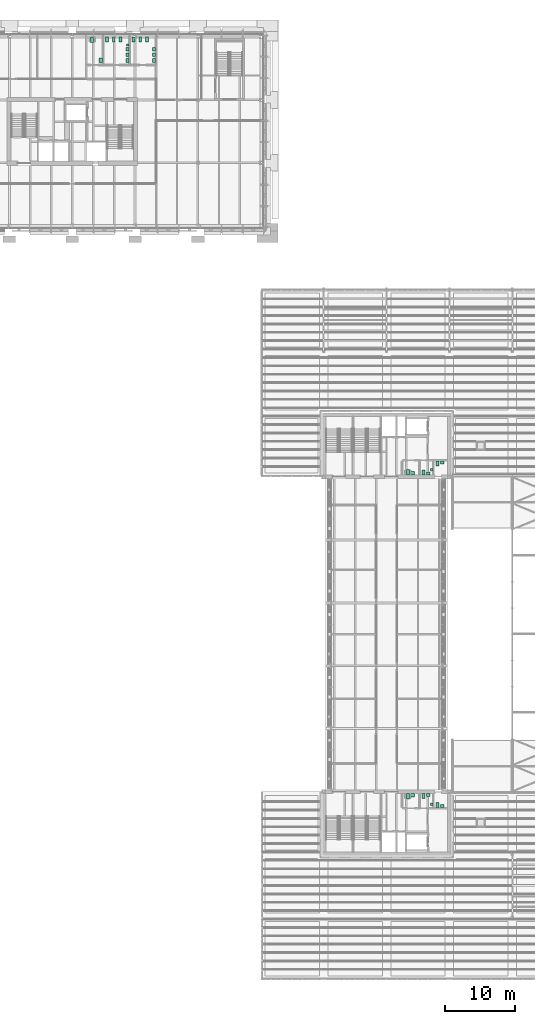
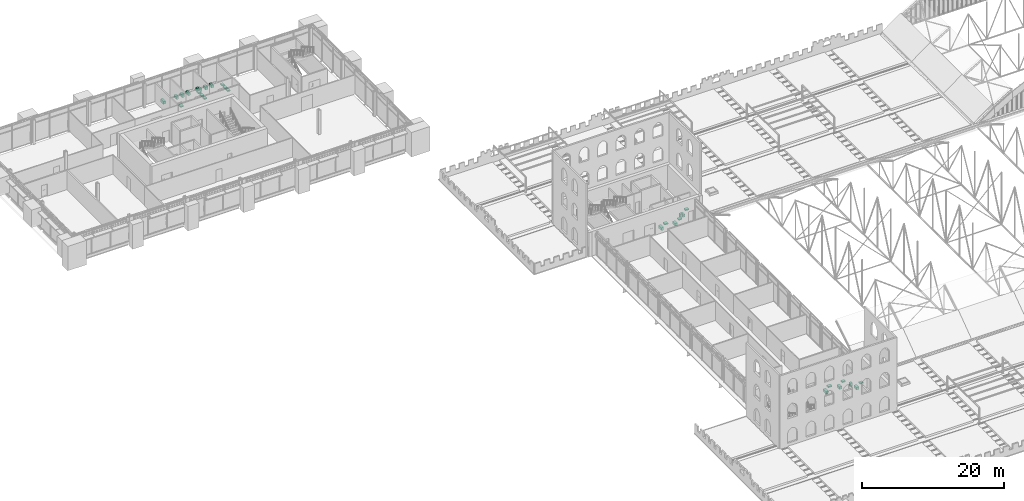
# One storey, part 153 of 153: 29 sanitary terminals.
"""IFC4 building model written with IfcOpenShell, lengths in metres."""

import ifcopenshell
import ifcopenshell.guid

model = None  # the IFC model being written
_history = None  # IfcOwnerHistory: only IFC2X3 demands one
_inside = {}  # id of a spatial element -> (the spatial element, [elements in it])
_under = {}  # id of a project, library or spatial element -> (it, [spatial elements below it])
_declared = {}  # id of a project -> (the project, [libraries it declares])
_typed = {}  # id of a type object -> (the type object, [elements of that type])
_made_of = {}  # id of a material, layer set ... -> (it, [elements and type objects made of it])


def new_model(schema):
    """Start an empty IFC model of exactly this schema.

    Asked for "IFC4X3", IfcOpenShell would pick the latest addendum, in which some entities
    have other attributes; the version numbers below select the first issue.
    IFC2X3 requires an IfcOwnerHistory on every rooted entity: one is made here for all.
    """
    global model, _history
    if schema == "IFC4X3":
        model = ifcopenshell.file(schema_version=(4, 3, 0, 0))
    else:
        model = ifcopenshell.file(schema=schema)
    _inside.clear()
    _under.clear()
    _declared.clear()
    _typed.clear()
    _made_of.clear()
    _history = None
    if model.schema == "IFC2X3":
        org = make("IfcOrganization", Name="unknown")
        user = make(
            "IfcPersonAndOrganization",
            ThePerson=make("IfcPerson", FamilyName="unknown"),
            TheOrganization=org,
        )
        app = make(
            "IfcApplication",
            ApplicationDeveloper=org,
            Version="unknown",
            ApplicationFullName="unknown",
            ApplicationIdentifier="unknown",
        )
        _history = make(
            "IfcOwnerHistory",
            OwningUser=user,
            OwningApplication=app,
            ChangeAction="ADDED",
            CreationDate=0,
        )
    return model


def make(cls, **values):
    """One entity of the class cls with the attributes given. An attribute that is None is left unset."""
    return model.create_entity(
        cls, **{name: value for name, value in values.items() if value is not None}
    )


def rooted(cls, **values):
    """An entity with a GlobalId (a new one), such as an element, a storey or a relation."""
    return make(cls, GlobalId=ifcopenshell.guid.new(), OwnerHistory=_history, **values)


def si_unit(unit_type, name, prefix=None):
    """IfcSIUnit, for example si_unit("LENGTHUNIT", "METRE", prefix="MILLI")."""
    return make("IfcSIUnit", UnitType=unit_type, Prefix=prefix, Name=name)


def assignment(units):
    """IfcUnitAssignment: the units of a project."""
    return None if units is None else make("IfcUnitAssignment", Units=units)


def point(xyz):
    """IfcCartesianPoint."""
    return None if xyz is None else make("IfcCartesianPoint", Coordinates=xyz)


def direction(xyz):
    """IfcDirection."""
    return None if xyz is None else make("IfcDirection", DirectionRatios=xyz)


def frame(location, z_axis=None, x_axis=None):
    """IfcAxis2Placement3D, a coordinate frame: its origin and axes. An axis left out is left unset."""
    return make(
        "IfcAxis2Placement3D",
        Location=point(location),
        Axis=direction(z_axis),
        RefDirection=direction(x_axis),
    )


def frame_2d(location, x_axis=None):
    """IfcAxis2Placement2D, a coordinate frame in the plane: its origin and x axis."""
    return make(
        "IfcAxis2Placement2D", Location=point(location), RefDirection=direction(x_axis)
    )


def origin():
    """The frame at (0, 0, 0) with its axes left unset."""
    return frame((0.0, 0.0, 0.0))


def origin_2d():
    """The frame at (0, 0) in the plane with its x axis left unset."""
    return frame_2d((0.0, 0.0))


def place(relative_to, where):
    """IfcLocalPlacement: puts the frame where relative to a parent placement (None: the world)."""
    return make(
        "IfcLocalPlacement", PlacementRelTo=relative_to, RelativePlacement=where
    )


def context(
    kind, dimensions, precision=None, world=None, true_north=None, identifier=None
):
    """IfcGeometricRepresentationContext, for example the 3D "Model" context."""
    return make(
        "IfcGeometricRepresentationContext",
        ContextIdentifier=identifier,
        ContextType=kind,
        CoordinateSpaceDimension=dimensions,
        Precision=precision,
        WorldCoordinateSystem=world,
        TrueNorth=true_north,
    )


def subcontext(parent, identifier, kind, view, scale=None):
    """IfcGeometricRepresentationSubContext, for example "Body" below "Model"."""
    return make(
        "IfcGeometricRepresentationSubContext",
        ContextIdentifier=identifier,
        ContextType=kind,
        ParentContext=parent,
        TargetScale=scale,
        TargetView=view,
    )


def project(units=None, contexts=None):
    """IfcProject with its units and contexts."""
    return rooted(
        "IfcProject",
        Name="project",
        RepresentationContexts=contexts,
        UnitsInContext=assignment(units),
    )


def spatial(cls, under=None, at=None, **own):
    """A site, building, storey or space (cls), placed at a placement, below another one or the project."""
    s = rooted(cls, ObjectPlacement=at, **own)
    if under is not None:
        _under.setdefault(under.id(), (under, []))[1].append(s)
    return s


def profile(cls, at=None, kind="AREA", **sizes):
    """A parametric profile (cls). Its sizes go by their IFC names, for example OverallWidth=200.0."""
    return make(cls, ProfileType=kind, Position=at, **sizes)


def rectangle(**sizes):
    """IfcRectangleProfileDef."""
    return profile("IfcRectangleProfileDef", **sizes)


def extrude(swept, where, along, depth):
    """IfcExtrudedAreaSolid: the profile swept, set in the frame where, extruded along a direction by depth."""
    return make(
        "IfcExtrudedAreaSolid",
        SweptArea=swept,
        Position=where,
        ExtrudedDirection=direction(along),
        Depth=depth,
    )


def shape(context_of_items, identifier, shape_type, items):
    """IfcShapeRepresentation: the items that make up one representation, for example the "Body"."""
    return make(
        "IfcShapeRepresentation",
        ContextOfItems=context_of_items,
        RepresentationIdentifier=identifier,
        RepresentationType=shape_type,
        Items=items,
    )


def material(Name=None, Category=None):
    """IfcMaterial."""
    return make("IfcMaterial", Name=Name, Category=Category)


def made_of(thing, what):
    """Note that an element or type object is made of a material, layer set ...; save() writes the relation."""
    if what is not None:
        _made_of.setdefault(what.id(), (what, []))[1].append(thing)
    return thing


def type_object(cls, material=None, **own):
    """A type object (cls), such as IfcWallType, which elements share."""
    return made_of(rooted(cls, **own), material)


def element(
    cls,
    number,
    at=None,
    inside=None,
    cuts=None,
    type_object=None,
    material=None,
    context=None,
    identifier="Body",
    shape_type=None,
    held_by="IfcProductDefinitionShape",
    body=None,
    shapes=None,
    **own,
):
    """One element of the class cls, such as IfcWall. Its Tag is "e" and its number.

    at: its placement. inside: the storey or other place that contains it. cuts: it is an
    opening in that element (IfcRelVoidsElement). A single representation is given by context,
    identifier, shape_type and body (its items); several are given by shapes. held_by: the class
    of the entity that holds the representations. save() writes the other relations.
    """
    e = rooted(cls, Tag="e%d" % number, ObjectPlacement=at, **own)
    if body is not None:
        shapes = [shape(context, identifier, shape_type, body)]
    if shapes is not None:
        e.Representation = make(held_by, Representations=shapes)
    if inside is not None:
        _inside.setdefault(inside.id(), (inside, []))[1].append(e)
    if cuts is not None:
        rooted(
            "IfcRelVoidsElement", RelatingBuildingElement=cuts, RelatedOpeningElement=e
        )
    if type_object is not None:
        _typed.setdefault(type_object.id(), (type_object, []))[1].append(e)
    return made_of(e, material)


def aggregate(whole, parts):
    """IfcRelAggregates: a whole, such as a stair, and the parts it consists of."""
    return rooted("IfcRelAggregates", RelatingObject=whole, RelatedObjects=parts)


def save(model, path):
    """Write the relations noted so far, then the file.

    IfcRelAggregates (storeys below a building ...), IfcRelContainedInSpatialStructure (elements
    in a storey), IfcRelDefinesByType, IfcRelAssociatesMaterial and IfcRelDeclares: one each for
    every whole, place, type object, material and project.
    """
    for whole, parts in _under.values():
        aggregate(whole, parts)
    for where, things in _inside.values():
        rooted(
            "IfcRelContainedInSpatialStructure",
            RelatedElements=things,
            RelatingStructure=where,
        )
    for kind, things in _typed.values():
        rooted("IfcRelDefinesByType", RelatedObjects=things, RelatingType=kind)
    for what, things in _made_of.values():
        rooted("IfcRelAssociatesMaterial", RelatedObjects=things, RelatingMaterial=what)
    for by, libraries in _declared.values():
        rooted("IfcRelDeclares", RelatingContext=by, RelatedDefinitions=libraries)
    model.write(path)


model = new_model("IFC4")

# Units and contexts
model_context = context("Model", 3, precision=1e-05, world=origin(), true_north=direction((0.0, 1.0)))
body_context = subcontext(model_context, "Body", "Model", "MODEL_VIEW")
ifc_project = project(units=[si_unit("LENGTHUNIT", "METRE"), si_unit("AREAUNIT", "SQUARE_METRE"), si_unit("VOLUMEUNIT", "CUBIC_METRE"), si_unit("PLANEANGLEUNIT", "RADIAN"), si_unit("MASSUNIT", "GRAM", prefix="KILO")], contexts=[model_context])

# Site, building, storey
site_placement = place(None, origin())
site = spatial("IfcSite", under=ifc_project, at=site_placement, CompositionType="ELEMENT")
building_placement = place(site_placement, origin())
building = spatial("IfcBuilding", under=site, at=building_placement, Name="Baradari Gate Terminus", CompositionType="ELEMENT")
storey_placement = place(building_placement, frame((0.0, 0.0, 11.699951171875)))
storey = spatial("IfcBuildingStorey", under=building, at=storey_placement, Name="L02", CompositionType="ELEMENT", Elevation=11.699951171875)

# Sanitary terminals
ifc_material_1 = material(Name="Vitreous china", Category="ceramic")
sanitary_terminal_type_1 = type_object("IfcSanitaryTerminalType", Name="Accessible WC pan SW-5", PredefinedType="TOILETPAN", material=ifc_material_1)
for number, where, z_axis, x_axis, name in (
    (1, (38.83740234375, 143.60009765625, 0.0), (0.0, 0.0, 1.0), (1.0, 0.0, 0.0), "Accessible WC pan Accessible WC"),
    (2, (84.050048828125, 81.699951171875, 0.0), (0.0, 0.0, 1.0), (1.0, 0.0, 0.0), "Accessible WC pan Accessible WC"),
    (3, (84.050048828125, 35.300048828125, 0.0), (0.0, 0.0, 1.0), (1.0, 0.0, 0.0), "Accessible WC pan Accessible WC"),
):
    element("IfcSanitaryTerminal", number, at=place(storey_placement, frame(where, z_axis=z_axis, x_axis=x_axis)), inside=storey, type_object=sanitary_terminal_type_1, Name=name, PredefinedType="TOILETPAN", context=body_context, shape_type="SweptSolid", body=[
        extrude(rectangle(XDim=0.39990234375, YDim=0.800048828125, at=origin_2d()), origin(), (0.0, 0.0, 1.0), 0.47998046875),
    ])
ifc_material_2 = material(Name="Vitreous china", Category="ceramic")
sanitary_terminal_type_2 = type_object("IfcSanitaryTerminalType", Name="Accessible wash basin SW-6", PredefinedType="WASHHANDBASIN", material=ifc_material_2)
sanitary_terminal_placement = place(storey_placement, frame((40.0625, 140.6875, 0.75), z_axis=(0.0, 0.0, 1.0), x_axis=(1.0, 0.0, 0.0)))
element("IfcSanitaryTerminal", 4, at=sanitary_terminal_placement, inside=storey, type_object=sanitary_terminal_type_2, Name="Accessible wash basin Accessible WC", PredefinedType="WASHHANDBASIN", context=body_context, shape_type="SweptSolid", body=[
    extrude(rectangle(XDim=0.5, YDim=0.60009765625, at=origin_2d()), origin(), (0.0, 0.0, 1.0), 0.199951171875),
])
for number, where, z_axis, x_axis, name in (
    (5, (84.699951171875, 81.550048828125, 0.75), (0.0, 0.0, 1.0), (1.0, 0.0, 0.0), "Accessible wash basin Accessible WC"),
    (6, (84.699951171875, 35.449951171875, 0.75), (0.0, 0.0, 1.0), (1.0, 0.0, 0.0), "Accessible wash basin Accessible WC"),
):
    element("IfcSanitaryTerminal", number, at=place(storey_placement, frame(where, z_axis=z_axis, x_axis=x_axis)), inside=storey, type_object=sanitary_terminal_type_2, Name=name, PredefinedType="WASHHANDBASIN", context=body_context, shape_type="SweptSolid", body=[
        extrude(rectangle(XDim=0.60009765625, YDim=0.5, at=origin_2d()), origin(), (0.0, 0.0, 1.0), 0.199951171875),
    ])
ifc_material_3 = material(Name="Vitreous china", Category="ceramic")
sanitary_terminal_type_3 = type_object("IfcSanitaryTerminalType", Name="Urinal SW-3", PredefinedType="URINAL", material=ifc_material_3)
for number, where, z_axis, x_axis, name in (
    (7, (43.9375, 142.862548828125, 0.64990234375), (0.0, 0.0, 1.0), (1.0, 0.0, 0.0), "Urinal Male WC"),
    (8, (87.4375, 82.074951171875, 0.64990234375), (0.0, 0.0, 1.0), (1.0, 0.0, 0.0), "Urinal Male WC"),
    (9, (87.4375, 34.175048828125, 0.64990234375), (0.0, 0.0, 1.0), (1.0, 0.0, 0.0), "Urinal Male WC"),
):
    element("IfcSanitaryTerminal", number, at=place(storey_placement, frame(where, z_axis=z_axis, x_axis=x_axis)), inside=storey, type_object=sanitary_terminal_type_3, Name=name, PredefinedType="URINAL", context=body_context, shape_type="SweptSolid", body=[
        extrude(rectangle(XDim=0.35009765625, YDim=0.35009765625, at=origin_2d()), origin(), (0.0, 0.0, 1.0), 0.60009765625),
    ])
ifc_material_4 = material(Name="Vitreous china", Category="ceramic")
sanitary_terminal_type_4 = type_object("IfcSanitaryTerminalType", Name="WC pan SW-1", PredefinedType="TOILETPAN", material=ifc_material_4)
for number, where, z_axis, x_axis, name in (
    (10, (40.987548828125, 143.64990234375, 0.0), (0.0, 0.0, 1.0), (1.0, 0.0, 0.0), "WC pan Male WC"),
    (11, (41.9375, 143.64990234375, 0.0), (0.0, 0.0, 1.0), (1.0, 0.0, 0.0), "WC pan Male WC"),
    (12, (42.887451171875, 143.64990234375, 0.0), (0.0, 0.0, 1.0), (1.0, 0.0, 0.0), "WC pan Male WC"),
    (13, (44.78759765625, 143.64990234375, 0.0), (0.0, 0.0, 1.0), (1.0, 0.0, 0.0), "WC pan Female WC"),
    (14, (45.737548828125, 143.64990234375, 0.0), (0.0, 0.0, 1.0), (1.0, 0.0, 0.0), "WC pan Female WC"),
    (15, (46.6875, 143.64990234375, 0.0), (0.0, 0.0, 1.0), (1.0, 0.0, 0.0), "WC pan Female WC"),
    (16, (86.28759765625, 81.64990234375, 0.0), (0.0, 0.0, 1.0), (1.0, 0.0, 0.0), "WC pan Male WC"),
    (17, (88.28759765625, 82.949951171875, 0.0), (0.0, 0.0, 1.0), (1.0, 0.0, 0.0), "WC pan Female WC"),
    (18, (86.28759765625, 35.35009765625, 0.0), (0.0, 0.0, 1.0), (1.0, 0.0, 0.0), "WC pan Male WC"),
    (19, (88.28759765625, 34.050048828125, 0.0), (0.0, 0.0, 1.0), (1.0, 0.0, 0.0), "WC pan Female WC"),
):
    element("IfcSanitaryTerminal", number, at=place(storey_placement, frame(where, z_axis=z_axis, x_axis=x_axis)), inside=storey, type_object=sanitary_terminal_type_4, Name=name, PredefinedType="TOILETPAN", context=body_context, shape_type="SweptSolid", body=[
        extrude(rectangle(XDim=0.39990234375, YDim=0.699951171875, at=origin_2d()), origin(), (0.0, 0.0, 1.0), 0.419921875),
    ])
ifc_material_5 = material(Name="Vitreous china", Category="ceramic")
sanitary_terminal_type_5 = type_object("IfcSanitaryTerminalType", Name="Wash basin SW-2", PredefinedType="WASHHANDBASIN", material=ifc_material_5)
for number, where, z_axis, x_axis, name in (
    (20, (43.887451171875, 140.66259765625, 0.75), (0.0, 0.0, 1.0), (1.0, 0.0, 0.0), "Wash basin Male WC"),
    (21, (43.887451171875, 141.46240234375, 0.75), (0.0, 0.0, 1.0), (1.0, 0.0, 0.0), "Wash basin Male WC"),
    (22, (43.887451171875, 142.262451171875, 0.75), (0.0, 0.0, 1.0), (1.0, 0.0, 0.0), "Wash basin Male WC"),
    (23, (47.6875, 140.66259765625, 0.75), (0.0, 0.0, 1.0), (1.0, 0.0, 0.0), "Wash basin Female WC"),
    (24, (47.6875, 141.46240234375, 0.75), (0.0, 0.0, 1.0), (1.0, 0.0, 0.0), "Wash basin Female WC"),
    (25, (47.6875, 142.262451171875, 0.75), (0.0, 0.0, 1.0), (1.0, 0.0, 0.0), "Wash basin Female WC"),
):
    element("IfcSanitaryTerminal", number, at=place(storey_placement, frame(where, z_axis=z_axis, x_axis=x_axis)), inside=storey, type_object=sanitary_terminal_type_5, Name=name, PredefinedType="WASHHANDBASIN", context=body_context, shape_type="SweptSolid", body=[
        extrude(rectangle(XDim=0.449951171875, YDim=0.550048828125, at=origin_2d()), origin(), (0.0, 0.0, 1.0), 0.199951171875),
    ])
for number, where, z_axis, x_axis, name in (
    (26, (86.96240234375, 81.52490234375, 0.75), (0.0, 0.0, 1.0), (1.0, 0.0, 0.0), "Wash basin Male WC"),
    (27, (88.96240234375, 83.074951171875, 0.75), (0.0, 0.0, 1.0), (1.0, 0.0, 0.0), "Wash basin Female WC"),
    (28, (86.96240234375, 35.47509765625, 0.75), (0.0, 0.0, 1.0), (1.0, 0.0, 0.0), "Wash basin Male WC"),
    (29, (88.96240234375, 33.925048828125, 0.75), (0.0, 0.0, 1.0), (1.0, 0.0, 0.0), "Wash basin Female WC"),
):
    element("IfcSanitaryTerminal", number, at=place(storey_placement, frame(where, z_axis=z_axis, x_axis=x_axis)), inside=storey, type_object=sanitary_terminal_type_5, Name=name, PredefinedType="WASHHANDBASIN", context=body_context, shape_type="SweptSolid", body=[
        extrude(rectangle(XDim=0.550048828125, YDim=0.449951171875, at=origin_2d()), origin(), (0.0, 0.0, 1.0), 0.199951171875),
    ])

save(model, "model.ifc")
